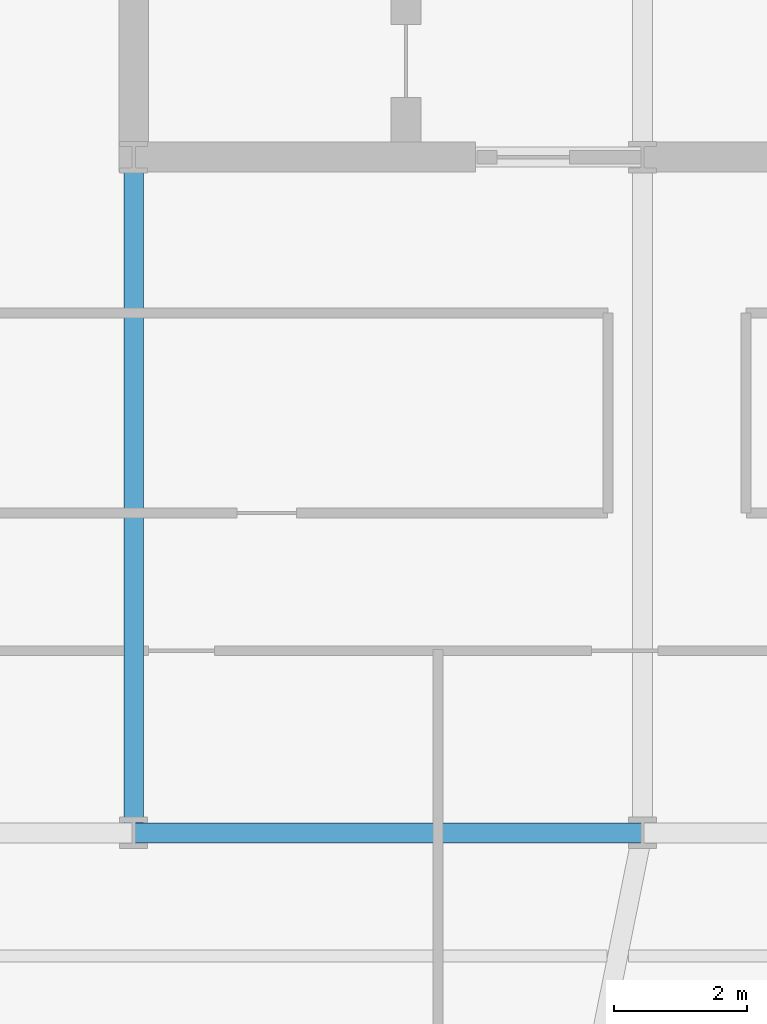
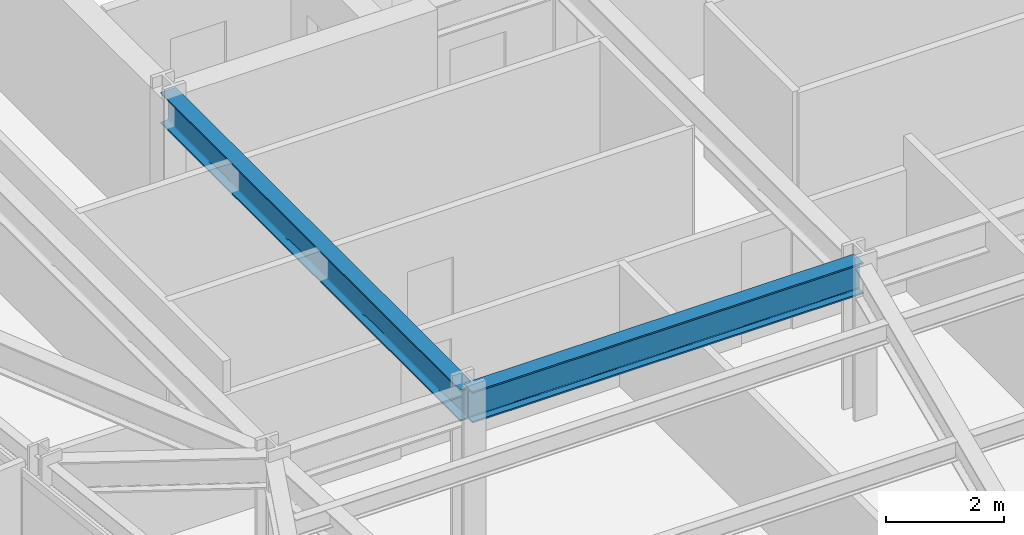
# One storey, part 7 of 32: 2 beams.
"""IFC4 building model written with IfcOpenShell, lengths in metres."""

from ifc_helpers import new_model, si_unit, direction, frame, origin, origin_2d, place, context, subcontext, project, spatial, i_section, extrude, material, material_profile, profile_set, type_object, element, save


model = new_model("IFC4")

# Units and contexts
model_context = context("Model", 3, precision=1e-05, world=origin(), true_north=direction((0.0, 1.0)))
body_context = subcontext(model_context, "Body", "Model", "MODEL_VIEW")
ifc_project = project(units=[si_unit("LENGTHUNIT", "METRE"), si_unit("AREAUNIT", "SQUARE_METRE"), si_unit("VOLUMEUNIT", "CUBIC_METRE"), si_unit("PLANEANGLEUNIT", "RADIAN"), si_unit("MASSUNIT", "GRAM", prefix="KILO")], contexts=[model_context])

# Site, building, storey
site_placement = place(None, origin())
site = spatial("IfcSite", under=ifc_project, at=site_placement, CompositionType="ELEMENT")
building_placement = place(site_placement, origin())
building = spatial("IfcBuilding", under=site, at=building_placement, Name="Yelkora Congress Tower", CompositionType="ELEMENT")
storey_placement = place(building_placement, frame((0.0, 0.0, 130.5)))
storey = spatial("IfcBuildingStorey", under=building, at=storey_placement, Name="L35", CompositionType="ELEMENT", Elevation=130.5)

# Beams
ifc_material = material(Name="Steel S355J2", Category="steel")
ifc_material_profile = material_profile(ifc_material, i_section(OverallWidth=0.300048828125, OverallDepth=0.64990234375, WebThickness=0.01611328125, FlangeThickness=0.031005859375, FilletRadius=0.027099609375, at=origin_2d()), Name="HEB 650")
ifc_profile_set = profile_set([ifc_material_profile], Name="Steel S355J2")
beam_type = type_object("IfcBeamType", Name="BM-GIRD-HEB650", PredefinedType="BEAM", material=ifc_profile_set)
beam_1_placement = place(storey_placement, frame((23.0400390625, 25.199951171875, 2.85498046875), z_axis=(1.0, 0.0, 0.0), x_axis=(0.0, 1.0, 0.0)))
element("IfcBeam", 1, at=beam_1_placement, inside=storey, type_object=beam_type, Name="L35 Spine Grid D Girder 2", PredefinedType="BEAM", context=body_context, shape_type="SweptSolid", body=[
    extrude(i_section(OverallWidth=0.300048828125, OverallDepth=0.64990234375, WebThickness=0.01611328125, FlangeThickness=0.031005859375, FilletRadius=0.027099609375, at=origin_2d()), origin(), (0.0, 0.0, 1.0), 7.679931640625),
])
beam_2_placement = place(storey_placement, frame((23.0400390625, 25.199951171875, 2.85498046875), z_axis=(0.0, 1.0, 0.0), x_axis=(-1.0, 0.0, 0.0)))
element("IfcBeam", 2, at=beam_2_placement, inside=storey, type_object=beam_type, Name="L35 Core Tie Girder MC-D1", PredefinedType="BEAM", context=body_context, shape_type="SweptSolid", body=[
    extrude(i_section(OverallWidth=0.300048828125, OverallDepth=0.64990234375, WebThickness=0.01611328125, FlangeThickness=0.031005859375, FilletRadius=0.027099609375, at=origin_2d()), origin(), (0.0, 0.0, 1.0), 10.199951171875),
])

save(model, "model.ifc")
